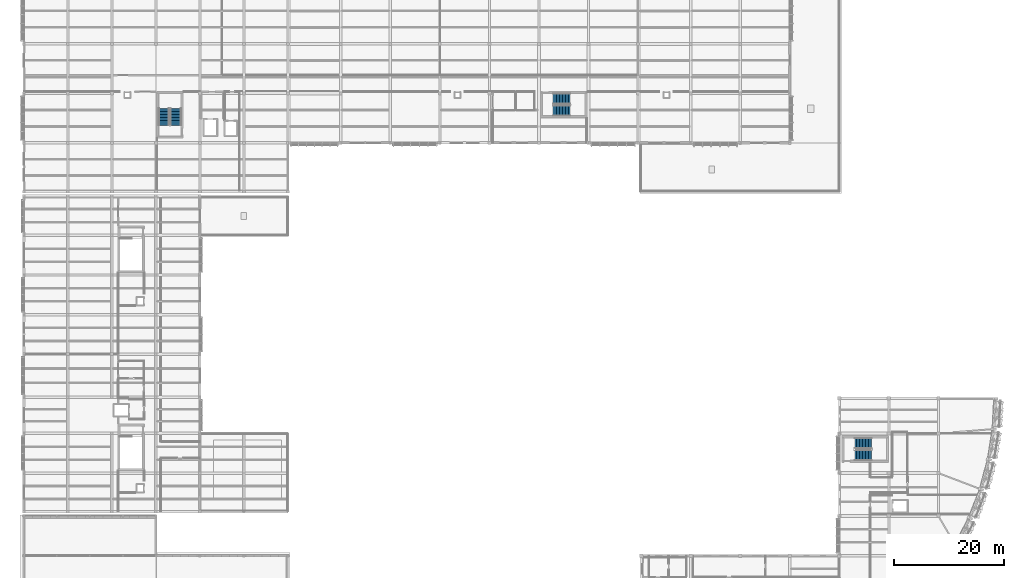
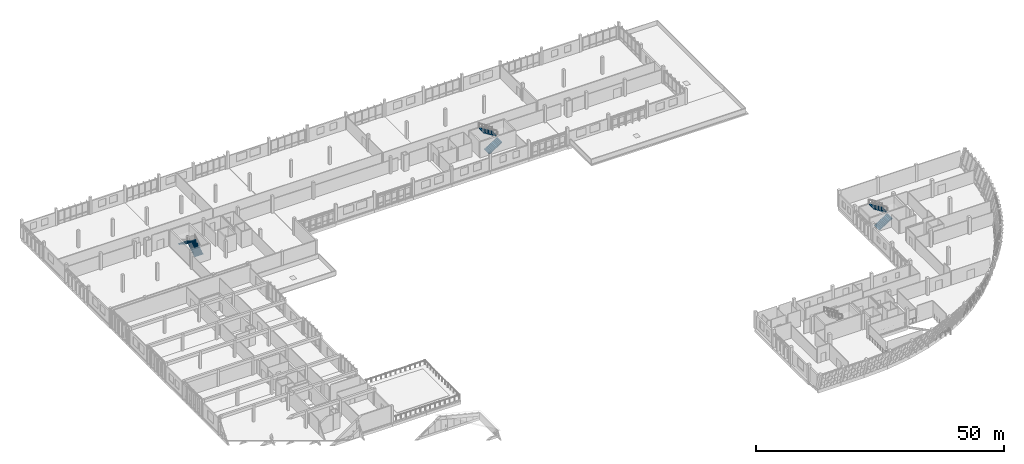
# One storey, part 101 of 107: 6 stair flights, 3 elements without a shape of their own.
"""IFC4 building model written with IfcOpenShell, lengths in metres."""

from ifc_helpers import new_model, si_unit, direction, frame, origin, place, context, subcontext, project, spatial, polyline, outline, extrude, material, type_object, element, aggregate, save


model = new_model("IFC4")

# Units and contexts
model_context = context("Model", 3, precision=1e-05, world=origin(), true_north=direction((0.0, 1.0)))
body_context = subcontext(model_context, "Body", "Model", "MODEL_VIEW")
ifc_project = project(units=[si_unit("LENGTHUNIT", "METRE"), si_unit("AREAUNIT", "SQUARE_METRE"), si_unit("VOLUMEUNIT", "CUBIC_METRE"), si_unit("PLANEANGLEUNIT", "RADIAN"), si_unit("MASSUNIT", "GRAM", prefix="KILO")], contexts=[model_context])

# Site, building, storey
site_placement = place(None, origin())
site = spatial("IfcSite", under=ifc_project, at=site_placement, CompositionType="ELEMENT")
building_placement = place(site_placement, origin())
building = spatial("IfcBuilding", under=site, at=building_placement, Name="Chiffa Square Polytechnic", CompositionType="ELEMENT")
storey_placement = place(building_placement, frame((0.0, 0.0, 13.800048828125)))
storey = spatial("IfcBuildingStorey", under=building, at=storey_placement, Name="L03", CompositionType="ELEMENT", Elevation=13.800048828125)

# Stair, stair flights
ifc_material = material(Name="Concrete C35/45", Category="concrete")
stair_type = type_object("IfcStairType", Name="STAIR-DOG-1950", PredefinedType="HALF_TURN_STAIR", material=ifc_material)
stair_1_placement = place(storey_placement, origin())
stair_1 = element("IfcStair", 1, at=stair_1_placement, inside=storey, type_object=stair_type, Name="L03 Enclosed exit stair ST-V1B", PredefinedType="HALF_TURN_STAIR")
stair_flight_type = type_object("IfcStairFlightType", Name="STFLT-1950", PredefinedType="STRAIGHT", material=ifc_material)
stair_flight_1_placement = place(storey_placement, frame((151.0, 47.074951171875, 0.0), z_axis=(0.0, 0.0, 1.0), x_axis=(1.0, 0.0, 0.0)))
stair_flight_1 = element("IfcStairFlight", 2, at=stair_flight_1_placement, type_object=stair_flight_type, Name="ST-V1B flight 1", NumberOfRisers=12, NumberOfTreads=11, PredefinedType="STRAIGHT", RiserHeight=0.175, TreadLength=0.28, context=body_context, shape_type="SweptSolid", body=[
    extrude(outline(polyline([(0.0, 0.0), (0.0, 0.175048828125), (0.280029296875, 0.175048828125), (0.280029296875, 0.35009765625), (0.56005859375, 0.35009765625), (0.56005859375, 0.52490234375), (0.840087890625, 0.52490234375), (0.840087890625, 0.699951171875), (1.1201171875, 0.699951171875), (1.1201171875, 0.875), (1.39990234375, 0.875), (1.39990234375, 1.050048828125), (1.679931640625, 1.050048828125), (1.679931640625, 1.22509765625), (1.9599609375, 1.22509765625), (1.9599609375, 1.39990234375), (2.239990234375, 1.39990234375), (2.239990234375, 1.574951171875), (2.52001953125, 1.574951171875), (2.52001953125, 1.75), (2.800048828125, 1.75), (2.800048828125, 1.925048828125), (3.080078125, 1.925048828125), (3.080078125, 2.10009765625), (3.080078125, 1.736328125), (0.3017578125, 0.0), (0.0, 0.0)])), frame((0.0, 0.97509765625, 0.0), z_axis=(0.0, -1.0, 0.0), x_axis=(1.0, 0.0, 0.0)), (0.0, 0.0, 1.0), 1.949951171875),
])
stair_flight_2_placement = place(storey_placement, frame((154.080078125, 49.22509765625, 2.099853515625), z_axis=(0.0, 0.0, 1.0), x_axis=(-1.0, 0.0, 0.0)))
stair_flight_2 = element("IfcStairFlight", 3, at=stair_flight_2_placement, type_object=stair_flight_type, Name="ST-V1B flight 2", NumberOfRisers=12, NumberOfTreads=11, PredefinedType="STRAIGHT", RiserHeight=0.175, TreadLength=0.28, context=body_context, shape_type="SweptSolid", body=[
    extrude(outline(polyline([(0.0, 0.0), (0.0, 0.175048828125), (0.280029296875, 0.175048828125), (0.280029296875, 0.35009765625), (0.56005859375, 0.35009765625), (0.56005859375, 0.52490234375), (0.840087890625, 0.52490234375), (0.840087890625, 0.699951171875), (1.1201171875, 0.699951171875), (1.1201171875, 0.875), (1.39990234375, 0.875), (1.39990234375, 1.050048828125), (1.679931640625, 1.050048828125), (1.679931640625, 1.22509765625), (1.9599609375, 1.22509765625), (1.9599609375, 1.39990234375), (2.239990234375, 1.39990234375), (2.239990234375, 1.574951171875), (2.52001953125, 1.574951171875), (2.52001953125, 1.75), (2.800048828125, 1.75), (2.800048828125, 1.925048828125), (3.080078125, 1.925048828125), (3.080078125, 2.10009765625), (3.080078125, 1.736328125), (0.3017578125, 0.0), (0.0, 0.0)])), frame((0.0, 0.97509765625, 0.0), z_axis=(0.0, -1.0, 0.0), x_axis=(1.0, 0.0, 0.0)), (0.0, 0.0, 1.0), 1.949951171875),
])
aggregate(stair_1, [stair_flight_1, stair_flight_2])

stair_2_placement = place(storey_placement, origin())
stair_2 = element("IfcStair", 4, at=stair_2_placement, inside=storey, type_object=stair_type, Name="L03 Enclosed exit stair ST-V5A", PredefinedType="HALF_TURN_STAIR")
stair_flight_3_placement = place(storey_placement, frame((27.625, 107.0, 0.0), z_axis=(0.0, 0.0, 1.0), x_axis=(0.0, 1.0, 0.0)))
stair_flight_3 = element("IfcStairFlight", 5, at=stair_flight_3_placement, type_object=stair_flight_type, Name="ST-V5A flight 1", NumberOfRisers=12, NumberOfTreads=11, PredefinedType="STRAIGHT", RiserHeight=0.175, TreadLength=0.28, context=body_context, shape_type="SweptSolid", body=[
    extrude(outline(polyline([(0.0, 0.0), (0.0, 0.175048828125), (0.280029296875, 0.175048828125), (0.280029296875, 0.35009765625), (0.56005859375, 0.35009765625), (0.56005859375, 0.52490234375), (0.840087890625, 0.52490234375), (0.840087890625, 0.699951171875), (1.1201171875, 0.699951171875), (1.1201171875, 0.875), (1.39990234375, 0.875), (1.39990234375, 1.050048828125), (1.679931640625, 1.050048828125), (1.679931640625, 1.22509765625), (1.9599609375, 1.22509765625), (1.9599609375, 1.39990234375), (2.239990234375, 1.39990234375), (2.239990234375, 1.574951171875), (2.52001953125, 1.574951171875), (2.52001953125, 1.75), (2.800048828125, 1.75), (2.800048828125, 1.925048828125), (3.080078125, 1.925048828125), (3.080078125, 2.10009765625), (3.080078125, 1.736328125), (0.3017578125, 0.0), (0.0, 0.0)])), frame((0.0, 0.97509765625, 0.0), z_axis=(0.0, -1.0, 0.0), x_axis=(1.0, 0.0, 0.0)), (0.0, 0.0, 1.0), 1.949951171875),
])
stair_flight_4_placement = place(storey_placement, frame((25.47509765625, 110.080078125, 2.099853515625), z_axis=(0.0, 0.0, 1.0), x_axis=(0.0, -1.0, 0.0)))
stair_flight_4 = element("IfcStairFlight", 6, at=stair_flight_4_placement, type_object=stair_flight_type, Name="ST-V5A flight 2", NumberOfRisers=12, NumberOfTreads=11, PredefinedType="STRAIGHT", RiserHeight=0.175, TreadLength=0.28, context=body_context, shape_type="SweptSolid", body=[
    extrude(outline(polyline([(0.0, 0.0), (0.0, 0.175048828125), (0.280029296875, 0.175048828125), (0.280029296875, 0.35009765625), (0.56005859375, 0.35009765625), (0.56005859375, 0.52490234375), (0.840087890625, 0.52490234375), (0.840087890625, 0.699951171875), (1.1201171875, 0.699951171875), (1.1201171875, 0.875), (1.39990234375, 0.875), (1.39990234375, 1.050048828125), (1.679931640625, 1.050048828125), (1.679931640625, 1.22509765625), (1.9599609375, 1.22509765625), (1.9599609375, 1.39990234375), (2.239990234375, 1.39990234375), (2.239990234375, 1.574951171875), (2.52001953125, 1.574951171875), (2.52001953125, 1.75), (2.800048828125, 1.75), (2.800048828125, 1.925048828125), (3.080078125, 1.925048828125), (3.080078125, 2.10009765625), (3.080078125, 1.736328125), (0.3017578125, 0.0), (0.0, 0.0)])), frame((0.0, 0.97509765625, 0.0), z_axis=(0.0, -1.0, 0.0), x_axis=(1.0, 0.0, 0.0)), (0.0, 0.0, 1.0), 1.949951171875),
])
aggregate(stair_2, [stair_flight_3, stair_flight_4])

stair_3_placement = place(storey_placement, origin())
stair_3 = element("IfcStair", 7, at=stair_3_placement, inside=storey, type_object=stair_type, Name="L03 Enclosed exit stair ST-V5B", PredefinedType="HALF_TURN_STAIR")
stair_flight_5_placement = place(storey_placement, frame((96.199951171875, 109.675048828125, 0.0), z_axis=(0.0, 0.0, 1.0), x_axis=(1.0, 0.0, 0.0)))
stair_flight_5 = element("IfcStairFlight", 8, at=stair_flight_5_placement, type_object=stair_flight_type, Name="ST-V5B flight 1", NumberOfRisers=12, NumberOfTreads=11, PredefinedType="STRAIGHT", RiserHeight=0.175, TreadLength=0.28, context=body_context, shape_type="SweptSolid", body=[
    extrude(outline(polyline([(0.0, 0.0), (0.0, 0.175048828125), (0.280029296875, 0.175048828125), (0.280029296875, 0.35009765625), (0.56005859375, 0.35009765625), (0.56005859375, 0.52490234375), (0.840087890625, 0.52490234375), (0.840087890625, 0.699951171875), (1.1201171875, 0.699951171875), (1.1201171875, 0.875), (1.39990234375, 0.875), (1.39990234375, 1.050048828125), (1.679931640625, 1.050048828125), (1.679931640625, 1.22509765625), (1.9599609375, 1.22509765625), (1.9599609375, 1.39990234375), (2.239990234375, 1.39990234375), (2.239990234375, 1.574951171875), (2.52001953125, 1.574951171875), (2.52001953125, 1.75), (2.800048828125, 1.75), (2.800048828125, 1.925048828125), (3.080078125, 1.925048828125), (3.080078125, 2.10009765625), (3.080078125, 1.736328125), (0.3017578125, 0.0), (0.0, 0.0)])), frame((0.0, 0.97509765625, 0.0), z_axis=(0.0, -1.0, 0.0), x_axis=(1.0, 0.0, 0.0)), (0.0, 0.0, 1.0), 1.949951171875),
])
stair_flight_6_placement = place(storey_placement, frame((99.280029296875, 111.824951171875, 2.099853515625), z_axis=(0.0, 0.0, 1.0), x_axis=(-1.0, 0.0, 0.0)))
stair_flight_6 = element("IfcStairFlight", 9, at=stair_flight_6_placement, type_object=stair_flight_type, Name="ST-V5B flight 2", NumberOfRisers=12, NumberOfTreads=11, PredefinedType="STRAIGHT", RiserHeight=0.175, TreadLength=0.28, context=body_context, shape_type="SweptSolid", body=[
    extrude(outline(polyline([(0.0, 0.0), (0.0, 0.175048828125), (0.280029296875, 0.175048828125), (0.280029296875, 0.35009765625), (0.56005859375, 0.35009765625), (0.56005859375, 0.52490234375), (0.840087890625, 0.52490234375), (0.840087890625, 0.699951171875), (1.1201171875, 0.699951171875), (1.1201171875, 0.875), (1.39990234375, 0.875), (1.39990234375, 1.050048828125), (1.679931640625, 1.050048828125), (1.679931640625, 1.22509765625), (1.9599609375, 1.22509765625), (1.9599609375, 1.39990234375), (2.239990234375, 1.39990234375), (2.239990234375, 1.574951171875), (2.52001953125, 1.574951171875), (2.52001953125, 1.75), (2.800048828125, 1.75), (2.800048828125, 1.925048828125), (3.080078125, 1.925048828125), (3.080078125, 2.10009765625), (3.080078125, 1.736328125), (0.3017578125, 0.0), (0.0, 0.0)])), frame((0.0, 0.97509765625, 0.0), z_axis=(0.0, -1.0, 0.0), x_axis=(1.0, 0.0, 0.0)), (0.0, 0.0, 1.0), 1.949951171875),
])
aggregate(stair_3, [stair_flight_5, stair_flight_6])

save(model, "model.ifc")
